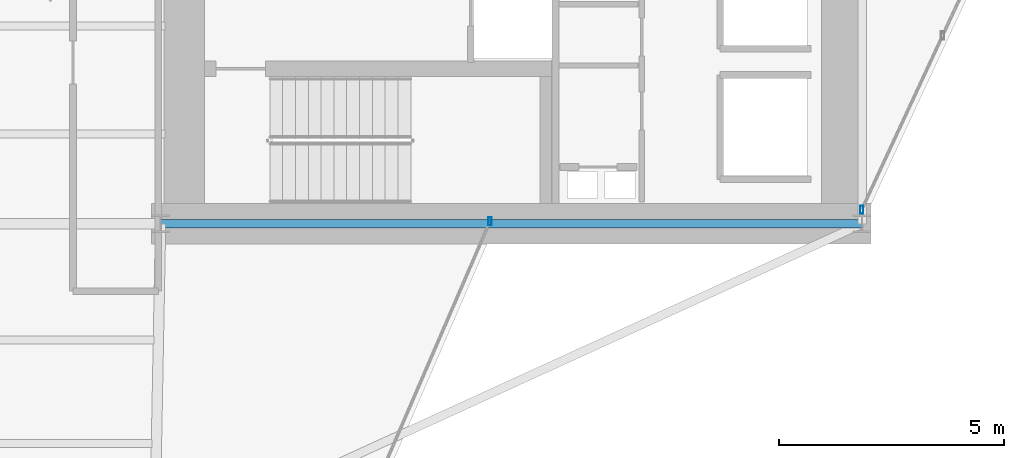
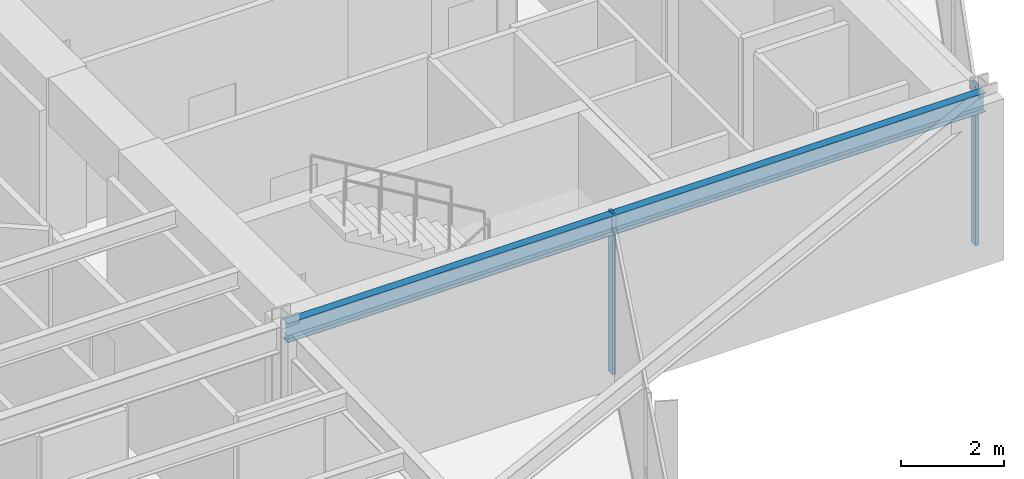
# One storey, part 13 of 26: 2 members, 1 beam, 2 elements without a shape of their own.
"""IFC4 building model written with IfcOpenShell, lengths in metres."""

from ifc_helpers import new_model, si_unit, direction, frame, origin, origin_2d, place, context, subcontext, project, spatial, hollow_rectangle, i_section, extrude, material, layer, layer_set, material_profile, profile_set, type_object, element, aggregate, save


model = new_model("IFC4")

# Units and contexts
model_context = context("Model", 3, precision=1e-05, world=origin(), true_north=direction((0.0, 1.0)))
body_context = subcontext(model_context, "Body", "Model", "MODEL_VIEW")
ifc_project = project(units=[si_unit("LENGTHUNIT", "METRE"), si_unit("AREAUNIT", "SQUARE_METRE"), si_unit("VOLUMEUNIT", "CUBIC_METRE"), si_unit("PLANEANGLEUNIT", "RADIAN"), si_unit("MASSUNIT", "GRAM", prefix="KILO")], contexts=[model_context])

# Site, building, storey
site_placement = place(None, origin())
site = spatial("IfcSite", under=ifc_project, at=site_placement, CompositionType="ELEMENT")
building_placement = place(site_placement, origin())
building = spatial("IfcBuilding", under=site, at=building_placement, Name="Veymaron Broadcast Tower", CompositionType="ELEMENT")
storey_placement = place(building_placement, frame((0.0, 0.0, 90.449951171875)))
storey = spatial("IfcBuildingStorey", under=building, at=storey_placement, Name="L20", CompositionType="ELEMENT", Elevation=90.449951171875)

# Beam
ifc_material_1 = material(Name="Structural steel ASTM A992 Gr 50", Category="steel")
ifc_material_profile_1 = material_profile(ifc_material_1, i_section(OverallWidth=0.19091796875, OverallDepth=0.4599609375, WebThickness=0.010009765625, FlangeThickness=0.01611328125, at=origin_2d()), Name="W460X82")
ifc_profile_set_1 = profile_set([ifc_material_profile_1], Name="Structural steel ASTM A992 Gr 50")
beam_type = type_object("IfcBeamType", Name="BM-SP1", PredefinedType="SPANDREL", material=ifc_profile_set_1)
beam_placement = place(storey_placement, frame((39.0, 16.0, 3.580078125), z_axis=(1.0, 0.0, 0.0), x_axis=(0.0, 1.0, 0.0)))
element("IfcBeam", 1, at=beam_placement, inside=storey, type_object=beam_type, Name="L20 primary structural floor girder", PredefinedType="SPANDREL", context=body_context, shape_type="SweptSolid", body=[
    extrude(i_section(OverallWidth=0.19091796875, OverallDepth=0.4599609375, WebThickness=0.010009765625, FlangeThickness=0.01611328125, at=origin_2d()), origin(), (0.0, 0.0, 1.0), 15.60009765625),
])

# Curtain wall, member
ifc_material_2 = material(Name="Anodised aluminium AA 6063-T6 and laminated low-E dark glass", Category="aluminium")
ifc_layer = layer(ifc_material_2, 0.179931640625)
ifc_layer_set = layer_set([ifc_layer], Name="Anodised aluminium AA 6063-T6 and laminated low-E dark glass")
curtain_wall_type = type_object("IfcCurtainWallType", Name="CW-SYS-02", PredefinedType="NOTDEFINED", material=ifc_layer_set)
curtain_wall_1_placement = place(storey_placement, origin())
curtain_wall_1 = element("IfcCurtainWall", 2, at=curtain_wall_1_placement, inside=storey, type_object=curtain_wall_type, Name="L20 dark-glass curtain wall CW-L20-E1-1", PredefinedType="NOTDEFINED")
ifc_material_3 = material(Name="Anodised aluminium AA 6063-T6", Category="aluminium")
ifc_material_profile_2 = material_profile(ifc_material_3, hollow_rectangle(XDim=0.074951171875, YDim=0.179931640625, WallThickness=0.0048828125, at=origin_2d()), Name="AL180X75X5")
ifc_profile_set_2 = profile_set([ifc_material_profile_2], Name="Anodised aluminium AA 6063-T6")
member_type = type_object("IfcMemberType", Name="CW-MUL-02", PredefinedType="MULLION", material=ifc_profile_set_2)
member_1_placement = place(storey_placement, frame((46.32568359375, 16.055419921875, 0.0), z_axis=(0.0, 0.0, 1.0), x_axis=(1.0, 0.0, 0.0)))
member_1 = element("IfcMember", 3, at=member_1_placement, type_object=member_type, Name="CW-L20-E1-1 mullion 2", PredefinedType="MULLION", context=body_context, shape_type="SweptSolid", body=[
    extrude(hollow_rectangle(XDim=0.074951171875, YDim=0.179931640625, WallThickness=0.0048828125, at=origin_2d()), origin(), (0.0, 0.0, 1.0), 3.81005859375),
])
aggregate(curtain_wall_1, [member_1])

curtain_wall_2_placement = place(storey_placement, origin())
curtain_wall_2 = element("IfcCurtainWall", 4, at=curtain_wall_2_placement, inside=storey, type_object=curtain_wall_type, Name="L20 dark-glass curtain wall CW-L20-E3-1", PredefinedType="NOTDEFINED")
member_2_placement = place(storey_placement, frame((54.59228515625, 16.31591796875, 0.0), z_axis=(0.0, 0.0, 1.0), x_axis=(1.0, 0.0, 0.0)))
member_2 = element("IfcMember", 5, at=member_2_placement, type_object=member_type, Name="CW-L20-E3-1 mullion 0", PredefinedType="MULLION", context=body_context, shape_type="SweptSolid", body=[
    extrude(hollow_rectangle(XDim=0.074951171875, YDim=0.179931640625, WallThickness=0.0048828125, at=origin_2d()), origin(), (0.0, 0.0, 1.0), 3.81005859375),
])
aggregate(curtain_wall_2, [member_2])

save(model, "model.ifc")
